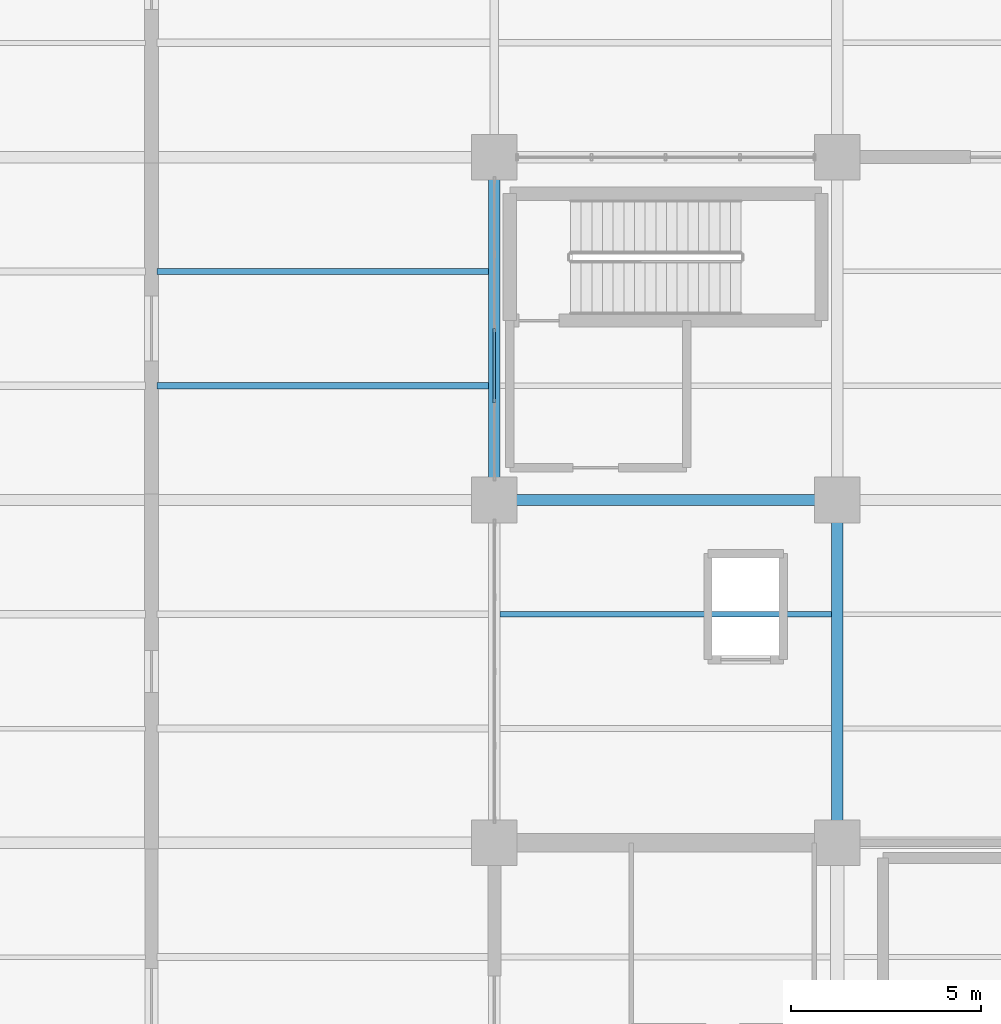
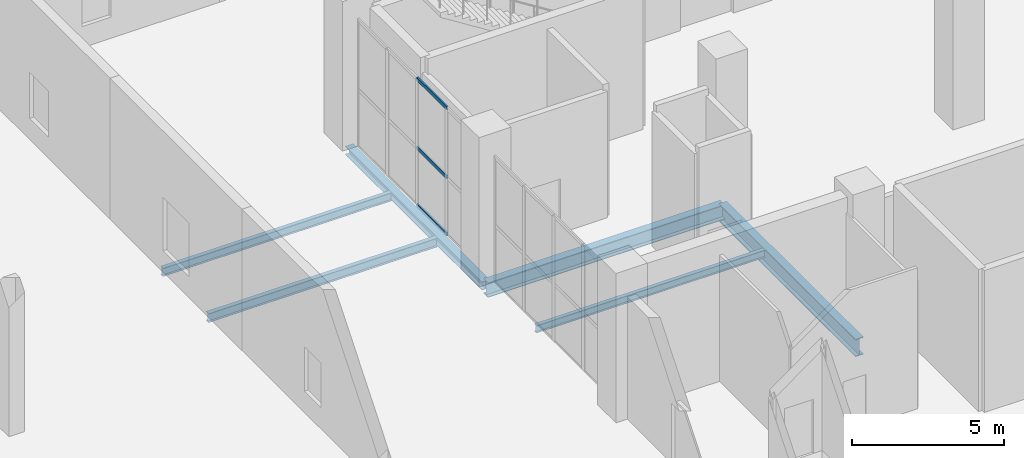
# One storey, part 56 of 144: 6 beams, 3 members, 1 element without a shape of its own.
"""IFC4 building model written with IfcOpenShell, lengths in metres."""

from ifc_helpers import new_model, si_unit, direction, frame, origin, origin_2d, place, context, subcontext, project, spatial, hollow_rectangle, i_section, extrude, material, layer, layer_set, material_profile, profile_set, type_object, element, aggregate, save


model = new_model("IFC4")

# Units and contexts
model_context = context("Model", 3, precision=1e-05, world=origin(), true_north=direction((0.0, 1.0)))
body_context = subcontext(model_context, "Body", "Model", "MODEL_VIEW")
ifc_project = project(units=[si_unit("LENGTHUNIT", "METRE"), si_unit("AREAUNIT", "SQUARE_METRE"), si_unit("VOLUMEUNIT", "CUBIC_METRE"), si_unit("PLANEANGLEUNIT", "RADIAN"), si_unit("MASSUNIT", "GRAM", prefix="KILO")], contexts=[model_context])

# Site, building, storey
site_placement = place(None, origin())
site = spatial("IfcSite", under=ifc_project, at=site_placement, CompositionType="ELEMENT")
building_placement = place(site_placement, origin())
building = spatial("IfcBuilding", under=site, at=building_placement, Name="Sundgate Opera House", CompositionType="ELEMENT")
storey_placement = place(building_placement, origin())
storey = spatial("IfcBuildingStorey", under=building, at=storey_placement, Name="L00", CompositionType="ELEMENT", Elevation=0.0)

# Beams
ifc_material_1 = material(Name="Steel S355J2", Category="steel")
ifc_material_profile_1 = material_profile(ifc_material_1, i_section(OverallWidth=0.300048828125, OverallDepth=0.330078125, WebThickness=0.009521484375, FlangeThickness=0.0166015625, at=origin_2d()), Name="HEA 340")
ifc_profile_set_1 = profile_set([ifc_material_profile_1], Name="Steel S355J2")
beam_type_1 = type_object("IfcBeamType", Name="BM-GR-HEA340", PredefinedType="BEAM", material=ifc_profile_set_1)
beam_1_placement = place(storey_placement, frame((36.0, 69.0, -0.485107421875), z_axis=(0.0, 1.0, 0.0), x_axis=(-1.0, 0.0, 0.0)))
element("IfcBeam", 1, at=beam_1_placement, inside=storey, type_object=beam_type_1, Name="L00 Primary N-S Girder B0116", PredefinedType="BEAM", context=body_context, shape_type="SweptSolid", body=[
    extrude(i_section(OverallWidth=0.300048828125, OverallDepth=0.330078125, WebThickness=0.009521484375, FlangeThickness=0.0166015625, at=origin_2d()), origin(), (0.0, 0.0, 1.0), 9.0),
])
ifc_material_2 = material(Name="Steel S355J2", Category="steel")
ifc_material_profile_2 = material_profile(ifc_material_2, i_section(OverallWidth=0.300048828125, OverallDepth=0.590087890625, WebThickness=0.012939453125, FlangeThickness=0.02490234375, at=origin_2d()), Name="HEA 600")
ifc_profile_set_2 = profile_set([ifc_material_profile_2], Name="Steel S355J2")
beam_type_2 = type_object("IfcBeamType", Name="BM-GR-HEA600", PredefinedType="BEAM", material=ifc_profile_set_2)
beam_2_placement = place(storey_placement, frame((36.0, 69.0, -0.614990234375), z_axis=(1.0, 0.0, 0.0), x_axis=(0.0, 1.0, 0.0)))
element("IfcBeam", 2, at=beam_2_placement, inside=storey, type_object=beam_type_2, Name="L00 Primary E-W Girder B0462", PredefinedType="BEAM", context=body_context, shape_type="SweptSolid", body=[
    extrude(i_section(OverallWidth=0.300048828125, OverallDepth=0.590087890625, WebThickness=0.012939453125, FlangeThickness=0.02490234375, at=origin_2d()), origin(), (0.0, 0.0, 1.0), 9.0),
])
ifc_material_3 = material(Name="Steel S355J2", Category="steel")
ifc_material_profile_3 = material_profile(ifc_material_3, i_section(OverallWidth=0.300048828125, OverallDepth=0.699951171875, WebThickness=0.01708984375, FlangeThickness=0.031982421875, at=origin_2d()), Name="HEB 700")
ifc_profile_set_3 = profile_set([ifc_material_profile_3], Name="Steel S355J2")
beam_type_3 = type_object("IfcBeamType", Name="BM-GR-HEB700", PredefinedType="BEAM", material=ifc_profile_set_3)
beam_3_placement = place(storey_placement, frame((45.0, 60.0, -0.669921875), z_axis=(0.0, 1.0, 0.0), x_axis=(-1.0, 0.0, 0.0)))
element("IfcBeam", 3, at=beam_3_placement, inside=storey, type_object=beam_type_3, Name="L00 Primary N-S Girder B0125", PredefinedType="BEAM", context=body_context, shape_type="SweptSolid", body=[
    extrude(i_section(OverallWidth=0.300048828125, OverallDepth=0.699951171875, WebThickness=0.01708984375, FlangeThickness=0.031982421875, at=origin_2d()), origin(), (0.0, 0.0, 1.0), 9.0),
])
ifc_material_4 = material(Name="Steel S355J2", Category="steel")
ifc_material_profile_4 = material_profile(ifc_material_4, i_section(OverallWidth=0.14990234375, OverallDepth=0.300048828125, WebThickness=0.007080078125, FlangeThickness=0.0107421875, at=origin_2d()), Name="IPE 300")
ifc_profile_set_4 = profile_set([ifc_material_profile_4], Name="Steel S355J2")
beam_type_4 = type_object("IfcBeamType", Name="BM-JS-IPE300", PredefinedType="JOIST", material=ifc_profile_set_4)
beam_4_placement = place(storey_placement, frame((36.14990234375, 66.0, -0.469970703125), z_axis=(1.0, 0.0, 0.0), x_axis=(0.0, 1.0, 0.0)))
element("IfcBeam", 4, at=beam_4_placement, inside=storey, type_object=beam_type_4, Name="L00 Secondary Floor Joist B0809", PredefinedType="JOIST", context=body_context, shape_type="SweptSolid", body=[
    extrude(i_section(OverallWidth=0.14990234375, OverallDepth=0.300048828125, WebThickness=0.007080078125, FlangeThickness=0.0107421875, at=origin_2d()), origin(), (0.0, 0.0, 1.0), 8.7001953125),
])
ifc_material_5 = material(Name="Steel S355J2", Category="steel")
ifc_material_profile_5 = material_profile(ifc_material_5, i_section(OverallWidth=0.159912109375, OverallDepth=0.330078125, WebThickness=0.007568359375, FlangeThickness=0.011474609375, at=origin_2d()), Name="IPE 330")
ifc_profile_set_5 = profile_set([ifc_material_profile_5], Name="Steel S355J2")
beam_type_5 = type_object("IfcBeamType", Name="BM-JS-IPE330", PredefinedType="JOIST", material=ifc_profile_set_5)
beam_5_placement = place(storey_placement, frame((27.14990234375, 75.0, -0.485107421875), z_axis=(1.0, 0.0, 0.0), x_axis=(0.0, 1.0, 0.0)))
element("IfcBeam", 5, at=beam_5_placement, inside=storey, type_object=beam_type_5, Name="L00 Secondary Floor Joist B0843", PredefinedType="JOIST", context=body_context, shape_type="SweptSolid", body=[
    extrude(i_section(OverallWidth=0.159912109375, OverallDepth=0.330078125, WebThickness=0.007568359375, FlangeThickness=0.011474609375, at=origin_2d()), origin(), (0.0, 0.0, 1.0), 8.7001953125),
])
ifc_material_6 = material(Name="Steel S355J2", Category="steel")
ifc_material_profile_6 = material_profile(ifc_material_6, i_section(OverallWidth=0.169921875, OverallDepth=0.360107421875, WebThickness=0.008056640625, FlangeThickness=0.0126953125, at=origin_2d()), Name="IPE 360")
ifc_profile_set_6 = profile_set([ifc_material_profile_6], Name="Steel S355J2")
beam_type_6 = type_object("IfcBeamType", Name="BM-JS-IPE360", PredefinedType="JOIST", material=ifc_profile_set_6)
beam_6_placement = place(storey_placement, frame((27.14990234375, 72.0, -0.5), z_axis=(1.0, 0.0, 0.0), x_axis=(0.0, 1.0, 0.0)))
element("IfcBeam", 6, at=beam_6_placement, inside=storey, type_object=beam_type_6, Name="L00 Secondary Floor Joist B0842", PredefinedType="JOIST", context=body_context, shape_type="SweptSolid", body=[
    extrude(i_section(OverallWidth=0.169921875, OverallDepth=0.360107421875, WebThickness=0.008056640625, FlangeThickness=0.0126953125, at=origin_2d()), origin(), (0.0, 0.0, 1.0), 8.7001953125),
])

# Curtain wall, members
ifc_material_7 = material(Name="Anodized aluminium and low-iron glass", Category="aluminium")
ifc_layer = layer(ifc_material_7, 0.179931640625)
ifc_layer_set = layer_set([ifc_layer], Name="Anodized aluminium and low-iron glass")
curtain_wall_type = type_object("IfcCurtainWallType", Name="CW-FOYER-GLASS", PredefinedType="NOTDEFINED", material=ifc_layer_set)
curtain_wall_placement = place(storey_placement, origin())
curtain_wall = element("IfcCurtainWall", 7, at=curtain_wall_placement, inside=storey, type_object=curtain_wall_type, Name="L00 Curtain Wall CW007", PredefinedType="NOTDEFINED")
ifc_material_8 = material(Name="Anodized aluminium EN AW-6063", Category="aluminium")
ifc_material_profile_7 = material_profile(ifc_material_8, hollow_rectangle(XDim=0.06005859375, YDim=0.139892578125, WallThickness=0.00390625, at=origin_2d()), Name="CWT 140x60x4")
ifc_profile_set_7 = profile_set([ifc_material_profile_7], Name="Anodized aluminium EN AW-6063")
member_type = type_object("IfcMemberType", Name="CWT-ALU-140x60", PredefinedType="USERDEFINED", material=ifc_profile_set_7)
member_1_placement = place(storey_placement, frame((36.0, 73.5, 0.0), z_axis=(0.0, -1.0, 0.0), x_axis=(1.0, 0.0, 0.0)))
member_1 = element("IfcMember", 8, at=member_1_placement, type_object=member_type, Name="CW007 Transom 7", ObjectType="TRANSOM", PredefinedType="USERDEFINED", context=body_context, shape_type="SweptSolid", body=[
    extrude(hollow_rectangle(XDim=0.06005859375, YDim=0.139892578125, WallThickness=0.00390625, at=origin_2d()), origin(), (0.0, 0.0, 1.0), 1.949951171875),
])
member_2_placement = place(storey_placement, frame((36.0, 73.5, 2.300048828125), z_axis=(0.0, -1.0, 0.0), x_axis=(1.0, 0.0, 0.0)))
member_2 = element("IfcMember", 9, at=member_2_placement, type_object=member_type, Name="CW007 Transom 8", ObjectType="TRANSOM", PredefinedType="USERDEFINED", context=body_context, shape_type="SweptSolid", body=[
    extrude(hollow_rectangle(XDim=0.06005859375, YDim=0.139892578125, WallThickness=0.00390625, at=origin_2d()), origin(), (0.0, 0.0, 1.0), 1.949951171875),
])
member_3_placement = place(storey_placement, frame((36.0, 73.5, 5.06494140625), z_axis=(0.0, -1.0, 0.0), x_axis=(1.0, 0.0, 0.0)))
member_3 = element("IfcMember", 10, at=member_3_placement, type_object=member_type, Name="CW007 Transom 9", ObjectType="TRANSOM", PredefinedType="USERDEFINED", context=body_context, shape_type="SweptSolid", body=[
    extrude(hollow_rectangle(XDim=0.06005859375, YDim=0.139892578125, WallThickness=0.00390625, at=origin_2d()), origin(), (0.0, 0.0, 1.0), 1.949951171875),
])
aggregate(curtain_wall, [member_1, member_2, member_3])

save(model, "model.ifc")
